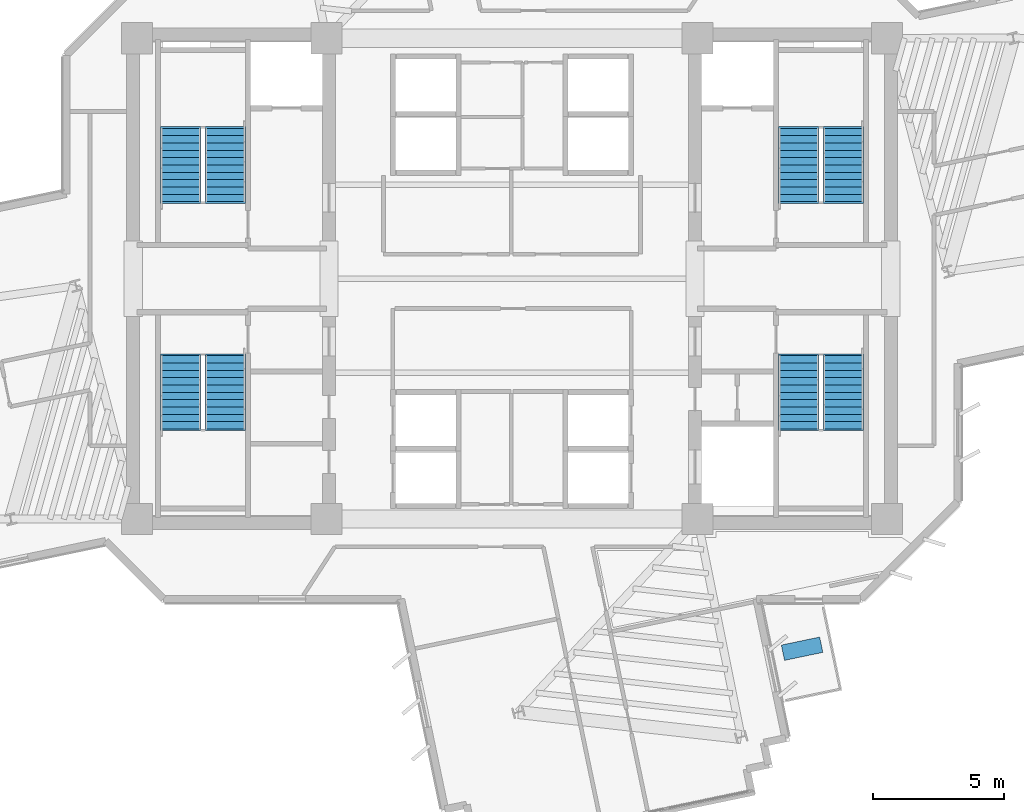
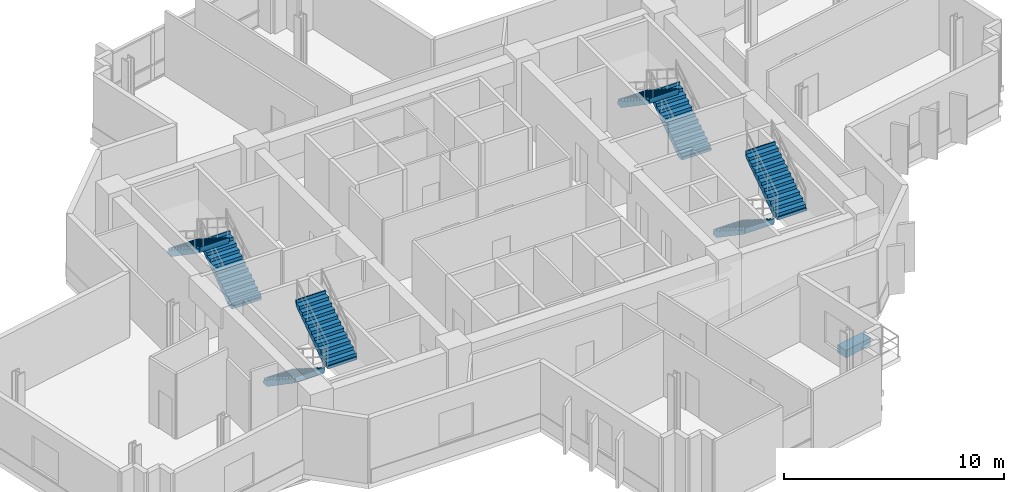
# One storey, part 11 of 14: 8 stair flights, 1 discrete accessory, 4 elements without a shape of their own.
"""IFC4 building model written with IfcOpenShell, lengths in metres."""

import ifcopenshell
import ifcopenshell.guid

model = None  # the IFC model being written
_history = None  # IfcOwnerHistory: only IFC2X3 demands one
_inside = {}  # id of a spatial element -> (the spatial element, [elements in it])
_under = {}  # id of a project, library or spatial element -> (it, [spatial elements below it])
_declared = {}  # id of a project -> (the project, [libraries it declares])
_typed = {}  # id of a type object -> (the type object, [elements of that type])
_made_of = {}  # id of a material, layer set ... -> (it, [elements and type objects made of it])


def new_model(schema):
    """Start an empty IFC model of exactly this schema.

    Asked for "IFC4X3", IfcOpenShell would pick the latest addendum, in which some entities
    have other attributes; the version numbers below select the first issue.
    IFC2X3 requires an IfcOwnerHistory on every rooted entity: one is made here for all.
    """
    global model, _history
    if schema == "IFC4X3":
        model = ifcopenshell.file(schema_version=(4, 3, 0, 0))
    else:
        model = ifcopenshell.file(schema=schema)
    _inside.clear()
    _under.clear()
    _declared.clear()
    _typed.clear()
    _made_of.clear()
    _history = None
    if model.schema == "IFC2X3":
        org = make("IfcOrganization", Name="unknown")
        user = make(
            "IfcPersonAndOrganization",
            ThePerson=make("IfcPerson", FamilyName="unknown"),
            TheOrganization=org,
        )
        app = make(
            "IfcApplication",
            ApplicationDeveloper=org,
            Version="unknown",
            ApplicationFullName="unknown",
            ApplicationIdentifier="unknown",
        )
        _history = make(
            "IfcOwnerHistory",
            OwningUser=user,
            OwningApplication=app,
            ChangeAction="ADDED",
            CreationDate=0,
        )
    return model


def make(cls, **values):
    """One entity of the class cls with the attributes given. An attribute that is None is left unset."""
    return model.create_entity(
        cls, **{name: value for name, value in values.items() if value is not None}
    )


def rooted(cls, **values):
    """An entity with a GlobalId (a new one), such as an element, a storey or a relation."""
    return make(cls, GlobalId=ifcopenshell.guid.new(), OwnerHistory=_history, **values)


def si_unit(unit_type, name, prefix=None):
    """IfcSIUnit, for example si_unit("LENGTHUNIT", "METRE", prefix="MILLI")."""
    return make("IfcSIUnit", UnitType=unit_type, Prefix=prefix, Name=name)


def assignment(units):
    """IfcUnitAssignment: the units of a project."""
    return None if units is None else make("IfcUnitAssignment", Units=units)


def point(xyz):
    """IfcCartesianPoint."""
    return None if xyz is None else make("IfcCartesianPoint", Coordinates=xyz)


def direction(xyz):
    """IfcDirection."""
    return None if xyz is None else make("IfcDirection", DirectionRatios=xyz)


def frame(location, z_axis=None, x_axis=None):
    """IfcAxis2Placement3D, a coordinate frame: its origin and axes. An axis left out is left unset."""
    return make(
        "IfcAxis2Placement3D",
        Location=point(location),
        Axis=direction(z_axis),
        RefDirection=direction(x_axis),
    )


def frame_2d(location, x_axis=None):
    """IfcAxis2Placement2D, a coordinate frame in the plane: its origin and x axis."""
    return make(
        "IfcAxis2Placement2D", Location=point(location), RefDirection=direction(x_axis)
    )


def origin():
    """The frame at (0, 0, 0) with its axes left unset."""
    return frame((0.0, 0.0, 0.0))


def origin_2d():
    """The frame at (0, 0) in the plane with its x axis left unset."""
    return frame_2d((0.0, 0.0))


def place(relative_to, where):
    """IfcLocalPlacement: puts the frame where relative to a parent placement (None: the world)."""
    return make(
        "IfcLocalPlacement", PlacementRelTo=relative_to, RelativePlacement=where
    )


def context(
    kind, dimensions, precision=None, world=None, true_north=None, identifier=None
):
    """IfcGeometricRepresentationContext, for example the 3D "Model" context."""
    return make(
        "IfcGeometricRepresentationContext",
        ContextIdentifier=identifier,
        ContextType=kind,
        CoordinateSpaceDimension=dimensions,
        Precision=precision,
        WorldCoordinateSystem=world,
        TrueNorth=true_north,
    )


def subcontext(parent, identifier, kind, view, scale=None):
    """IfcGeometricRepresentationSubContext, for example "Body" below "Model"."""
    return make(
        "IfcGeometricRepresentationSubContext",
        ContextIdentifier=identifier,
        ContextType=kind,
        ParentContext=parent,
        TargetScale=scale,
        TargetView=view,
    )


def project(units=None, contexts=None):
    """IfcProject with its units and contexts."""
    return rooted(
        "IfcProject",
        Name="project",
        RepresentationContexts=contexts,
        UnitsInContext=assignment(units),
    )


def spatial(cls, under=None, at=None, **own):
    """A site, building, storey or space (cls), placed at a placement, below another one or the project."""
    s = rooted(cls, ObjectPlacement=at, **own)
    if under is not None:
        _under.setdefault(under.id(), (under, []))[1].append(s)
    return s


def polyline(points):
    """IfcPolyline through the points."""
    return make("IfcPolyline", Points=[point(p) for p in points])


def profile(cls, at=None, kind="AREA", **sizes):
    """A parametric profile (cls). Its sizes go by their IFC names, for example OverallWidth=200.0."""
    return make(cls, ProfileType=kind, Position=at, **sizes)


def rectangle(**sizes):
    """IfcRectangleProfileDef."""
    return profile("IfcRectangleProfileDef", **sizes)


def outline(outer, holes=None, kind="AREA"):
    """IfcArbitraryClosedProfileDef: a profile drawn as a closed curve; with holes, ...WithVoids."""
    if holes is None:
        return make("IfcArbitraryClosedProfileDef", ProfileType=kind, OuterCurve=outer)
    return make(
        "IfcArbitraryProfileDefWithVoids",
        ProfileType=kind,
        OuterCurve=outer,
        InnerCurves=holes,
    )


def extrude(swept, where, along, depth):
    """IfcExtrudedAreaSolid: the profile swept, set in the frame where, extruded along a direction by depth."""
    return make(
        "IfcExtrudedAreaSolid",
        SweptArea=swept,
        Position=where,
        ExtrudedDirection=direction(along),
        Depth=depth,
    )


def shape(context_of_items, identifier, shape_type, items):
    """IfcShapeRepresentation: the items that make up one representation, for example the "Body"."""
    return make(
        "IfcShapeRepresentation",
        ContextOfItems=context_of_items,
        RepresentationIdentifier=identifier,
        RepresentationType=shape_type,
        Items=items,
    )


def source(mapping_origin, context_of_items, identifier, shape_type, items):
    """IfcRepresentationMap: a shape defined once, which mapped items show again and again."""
    return make(
        "IfcRepresentationMap",
        MappingOrigin=mapping_origin,
        MappedRepresentation=shape(context_of_items, identifier, shape_type, items),
    )


def transform(
    local_origin,
    x_axis=None,
    y_axis=None,
    z_axis=None,
    scale=None,
    scale2=None,
    scale3=None,
    uniform=True,
):
    """IfcCartesianTransformationOperator3D, or its non-uniform kind. x_axis, y_axis, z_axis: its Axis1, 2, 3."""
    if uniform:
        return make(
            "IfcCartesianTransformationOperator3D",
            Axis1=direction(x_axis),
            Axis2=direction(y_axis),
            LocalOrigin=point(local_origin),
            Scale=scale,
            Axis3=direction(z_axis),
        )
    return make(
        "IfcCartesianTransformationOperator3DnonUniform",
        Axis1=direction(x_axis),
        Axis2=direction(y_axis),
        LocalOrigin=point(local_origin),
        Scale=scale,
        Axis3=direction(z_axis),
        Scale2=scale2,
        Scale3=scale3,
    )


def mapped(mapping_source, mapping_target):
    """IfcMappedItem: shows the shape of a source again, moved by a transform."""
    return make(
        "IfcMappedItem", MappingSource=mapping_source, MappingTarget=mapping_target
    )


def material(Name=None, Category=None):
    """IfcMaterial."""
    return make("IfcMaterial", Name=Name, Category=Category)


def made_of(thing, what):
    """Note that an element or type object is made of a material, layer set ...; save() writes the relation."""
    if what is not None:
        _made_of.setdefault(what.id(), (what, []))[1].append(thing)
    return thing


def type_object(cls, material=None, **own):
    """A type object (cls), such as IfcWallType, which elements share."""
    return made_of(rooted(cls, **own), material)


def element(
    cls,
    number,
    at=None,
    inside=None,
    cuts=None,
    type_object=None,
    material=None,
    context=None,
    identifier="Body",
    shape_type=None,
    held_by="IfcProductDefinitionShape",
    body=None,
    shapes=None,
    **own,
):
    """One element of the class cls, such as IfcWall. Its Tag is "e" and its number.

    at: its placement. inside: the storey or other place that contains it. cuts: it is an
    opening in that element (IfcRelVoidsElement). A single representation is given by context,
    identifier, shape_type and body (its items); several are given by shapes. held_by: the class
    of the entity that holds the representations. save() writes the other relations.
    """
    e = rooted(cls, Tag="e%d" % number, ObjectPlacement=at, **own)
    if body is not None:
        shapes = [shape(context, identifier, shape_type, body)]
    if shapes is not None:
        e.Representation = make(held_by, Representations=shapes)
    if inside is not None:
        _inside.setdefault(inside.id(), (inside, []))[1].append(e)
    if cuts is not None:
        rooted(
            "IfcRelVoidsElement", RelatingBuildingElement=cuts, RelatedOpeningElement=e
        )
    if type_object is not None:
        _typed.setdefault(type_object.id(), (type_object, []))[1].append(e)
    return made_of(e, material)


def aggregate(whole, parts):
    """IfcRelAggregates: a whole, such as a stair, and the parts it consists of."""
    return rooted("IfcRelAggregates", RelatingObject=whole, RelatedObjects=parts)


def save(model, path):
    """Write the relations noted so far, then the file.

    IfcRelAggregates (storeys below a building ...), IfcRelContainedInSpatialStructure (elements
    in a storey), IfcRelDefinesByType, IfcRelAssociatesMaterial and IfcRelDeclares: one each for
    every whole, place, type object, material and project.
    """
    for whole, parts in _under.values():
        aggregate(whole, parts)
    for where, things in _inside.values():
        rooted(
            "IfcRelContainedInSpatialStructure",
            RelatedElements=things,
            RelatingStructure=where,
        )
    for kind, things in _typed.values():
        rooted("IfcRelDefinesByType", RelatedObjects=things, RelatingType=kind)
    for what, things in _made_of.values():
        rooted("IfcRelAssociatesMaterial", RelatedObjects=things, RelatingMaterial=what)
    for by, libraries in _declared.values():
        rooted("IfcRelDeclares", RelatingContext=by, RelatedDefinitions=libraries)
    model.write(path)


model = new_model("IFC4")

# Units and contexts
model_context = context("Model", 3, precision=1e-05, world=origin(), true_north=direction((0.0, 1.0)))
body_context = subcontext(model_context, "Body", "Model", "MODEL_VIEW")
ifc_project = project(units=[si_unit("LENGTHUNIT", "METRE"), si_unit("AREAUNIT", "SQUARE_METRE"), si_unit("VOLUMEUNIT", "CUBIC_METRE"), si_unit("PLANEANGLEUNIT", "RADIAN"), si_unit("MASSUNIT", "GRAM", prefix="KILO")], contexts=[model_context])

# Site, building, storey
site_placement = place(None, origin())
site = spatial("IfcSite", under=ifc_project, at=site_placement, CompositionType="ELEMENT")
building_placement = place(site_placement, origin())
building = spatial("IfcBuilding", under=site, at=building_placement, Name="Zahravan Cultural Tower", CompositionType="ELEMENT")
storey_placement = place(building_placement, frame((0.0, 0.0, 162.89990234375)))
storey = spatial("IfcBuildingStorey", under=building, at=storey_placement, Name="L37", CompositionType="ELEMENT", Elevation=162.89990234375)

# Stair, stair flights
ifc_material_1 = material(Name="Concrete C45/55", Category="concrete")
stair_type = type_object("IfcStairType", Name="STR-DL-1550-390", PredefinedType="HALF_TURN_STAIR", material=ifc_material_1)
stair_1_placement = place(storey_placement, origin())
stair_1 = element("IfcStair", 1, at=stair_1_placement, inside=storey, type_object=stair_type, Name="L37 West Core North Exit Stair ST-W1", PredefinedType="HALF_TURN_STAIR")
stair_flight_type = type_object("IfcStairFlightType", Name="FLG-DL-1550-390", PredefinedType="STRAIGHT", material=ifc_material_1)
stair_flight_1_placement = place(storey_placement, frame((25.02490234375, 29.949951171875, 0.0), z_axis=(0.0, 0.0, 1.0), x_axis=(0.0, 1.0, 0.0)))
stair_flight_1 = element("IfcStairFlight", 2, at=stair_flight_1_placement, type_object=stair_flight_type, Name="ST-W1 flight 1", NumberOfRisers=11, NumberOfTreads=10, PredefinedType="STRAIGHT", RiserHeight=0.177272727, TreadLength=0.28, context=body_context, shape_type="SweptSolid", body=[
    extrude(outline(polyline([(-0.06494140625, -0.139892578125), (-0.06494140625, 0.0), (0.0, 0.0), (0.0, 0.17724609375), (0.280029296875, 0.17724609375), (0.280029296875, 0.3544921875), (0.56005859375, 0.3544921875), (0.56005859375, 0.53173828125), (0.840087890625, 0.53173828125), (0.840087890625, 0.708984375), (1.1201171875, 0.708984375), (1.1201171875, 0.886474609375), (1.39990234375, 0.886474609375), (1.39990234375, 1.063720703125), (1.679931640625, 1.063720703125), (1.679931640625, 1.240966796875), (1.9599609375, 1.240966796875), (1.9599609375, 1.418212890625), (2.239990234375, 1.418212890625), (2.239990234375, 1.595458984375), (2.52001953125, 1.595458984375), (2.52001953125, 1.772705078125), (2.800048828125, 1.772705078125), (2.800048828125, 1.949951171875), (2.864990234375, 1.949951171875), (2.864990234375, 1.800048828125), (2.800048828125, 1.59521484375), (0.2802734375, -0.139892578125), (-0.06494140625, -0.139892578125)])), frame((0.0, 0.77490234375, 0.0), z_axis=(0.0, -1.0, 0.0), x_axis=(1.0, 0.0, 0.0)), (0.0, 0.0, 1.0), 1.550048828125),
])
stair_flight_2_placement = place(storey_placement, frame((23.324951171875, 32.75, 1.9501953125), z_axis=(0.0, 0.0, 1.0), x_axis=(0.0, -1.0, 0.0)))
stair_flight_2 = element("IfcStairFlight", 3, at=stair_flight_2_placement, type_object=stair_flight_type, Name="ST-W1 flight 2", NumberOfRisers=11, NumberOfTreads=10, PredefinedType="STRAIGHT", RiserHeight=0.177272727, TreadLength=0.28, context=body_context, shape_type="SweptSolid", body=[
    extrude(outline(polyline([(-0.06494140625, -0.139892578125), (-0.06494140625, 0.0), (0.0, 0.0), (0.0, 0.17724609375), (0.280029296875, 0.17724609375), (0.280029296875, 0.3544921875), (0.56005859375, 0.3544921875), (0.56005859375, 0.53173828125), (0.840087890625, 0.53173828125), (0.840087890625, 0.708984375), (1.1201171875, 0.708984375), (1.1201171875, 0.886474609375), (1.39990234375, 0.886474609375), (1.39990234375, 1.063720703125), (1.679931640625, 1.063720703125), (1.679931640625, 1.240966796875), (1.9599609375, 1.240966796875), (1.9599609375, 1.418212890625), (2.239990234375, 1.418212890625), (2.239990234375, 1.595458984375), (2.52001953125, 1.595458984375), (2.52001953125, 1.772705078125), (2.800048828125, 1.772705078125), (2.800048828125, 1.949951171875), (2.864990234375, 1.949951171875), (2.864990234375, 1.800048828125), (2.800048828125, 1.59521484375), (0.2802734375, -0.139892578125), (-0.06494140625, -0.139892578125)])), frame((0.0, 0.77490234375, 0.0), z_axis=(0.0, -1.0, 0.0), x_axis=(1.0, 0.0, 0.0)), (0.0, 0.0, 1.0), 1.550048828125),
])
aggregate(stair_1, [stair_flight_1, stair_flight_2])

stair_2_placement = place(storey_placement, origin())
stair_2 = element("IfcStair", 4, at=stair_2_placement, inside=storey, type_object=stair_type, Name="L37 West Core South Exit Stair ST-W2", PredefinedType="HALF_TURN_STAIR")
stair_flight_3_placement = place(storey_placement, frame((23.324951171875, 24.050048828125, 0.0), z_axis=(0.0, 0.0, 1.0), x_axis=(0.0, -1.0, 0.0)))
stair_flight_3 = element("IfcStairFlight", 5, at=stair_flight_3_placement, type_object=stair_flight_type, Name="ST-W2 flight 1", NumberOfRisers=11, NumberOfTreads=10, PredefinedType="STRAIGHT", RiserHeight=0.177272727, TreadLength=0.28, context=body_context, shape_type="SweptSolid", body=[
    extrude(outline(polyline([(-0.06494140625, -0.139892578125), (-0.06494140625, 0.0), (0.0, 0.0), (0.0, 0.17724609375), (0.280029296875, 0.17724609375), (0.280029296875, 0.3544921875), (0.56005859375, 0.3544921875), (0.56005859375, 0.53173828125), (0.840087890625, 0.53173828125), (0.840087890625, 0.708984375), (1.1201171875, 0.708984375), (1.1201171875, 0.886474609375), (1.39990234375, 0.886474609375), (1.39990234375, 1.063720703125), (1.679931640625, 1.063720703125), (1.679931640625, 1.240966796875), (1.9599609375, 1.240966796875), (1.9599609375, 1.418212890625), (2.239990234375, 1.418212890625), (2.239990234375, 1.595458984375), (2.52001953125, 1.595458984375), (2.52001953125, 1.772705078125), (2.800048828125, 1.772705078125), (2.800048828125, 1.949951171875), (2.864990234375, 1.949951171875), (2.864990234375, 1.800048828125), (2.800048828125, 1.59521484375), (0.2802734375, -0.139892578125), (-0.06494140625, -0.139892578125)])), frame((0.0, 0.77490234375, 0.0), z_axis=(0.0, -1.0, 0.0), x_axis=(1.0, 0.0, 0.0)), (0.0, 0.0, 1.0), 1.550048828125),
])
stair_flight_4_placement = place(storey_placement, frame((25.02490234375, 21.25, 1.9501953125), z_axis=(0.0, 0.0, 1.0), x_axis=(0.0, 1.0, 0.0)))
stair_flight_4 = element("IfcStairFlight", 6, at=stair_flight_4_placement, type_object=stair_flight_type, Name="ST-W2 flight 2", NumberOfRisers=11, NumberOfTreads=10, PredefinedType="STRAIGHT", RiserHeight=0.177272727, TreadLength=0.28, context=body_context, shape_type="SweptSolid", body=[
    extrude(outline(polyline([(-0.06494140625, -0.139892578125), (-0.06494140625, 0.0), (0.0, 0.0), (0.0, 0.17724609375), (0.280029296875, 0.17724609375), (0.280029296875, 0.3544921875), (0.56005859375, 0.3544921875), (0.56005859375, 0.53173828125), (0.840087890625, 0.53173828125), (0.840087890625, 0.708984375), (1.1201171875, 0.708984375), (1.1201171875, 0.886474609375), (1.39990234375, 0.886474609375), (1.39990234375, 1.063720703125), (1.679931640625, 1.063720703125), (1.679931640625, 1.240966796875), (1.9599609375, 1.240966796875), (1.9599609375, 1.418212890625), (2.239990234375, 1.418212890625), (2.239990234375, 1.595458984375), (2.52001953125, 1.595458984375), (2.52001953125, 1.772705078125), (2.800048828125, 1.772705078125), (2.800048828125, 1.949951171875), (2.864990234375, 1.949951171875), (2.864990234375, 1.800048828125), (2.800048828125, 1.59521484375), (0.2802734375, -0.139892578125), (-0.06494140625, -0.139892578125)])), frame((0.0, 0.77490234375, 0.0), z_axis=(0.0, -1.0, 0.0), x_axis=(1.0, 0.0, 0.0)), (0.0, 0.0, 1.0), 1.550048828125),
])
aggregate(stair_2, [stair_flight_3, stair_flight_4])

stair_3_placement = place(storey_placement, origin())
stair_3 = element("IfcStair", 7, at=stair_3_placement, inside=storey, type_object=stair_type, Name="L37 East Core North Exit Stair ST-E1", PredefinedType="HALF_TURN_STAIR")
stair_flight_5_placement = place(storey_placement, frame((48.675048828125, 29.949951171875, 0.0), z_axis=(0.0, 0.0, 1.0), x_axis=(0.0, 1.0, 0.0)))
stair_flight_5 = element("IfcStairFlight", 8, at=stair_flight_5_placement, type_object=stair_flight_type, Name="ST-E1 flight 1", NumberOfRisers=11, NumberOfTreads=10, PredefinedType="STRAIGHT", RiserHeight=0.177272727, TreadLength=0.28, context=body_context, shape_type="SweptSolid", body=[
    extrude(outline(polyline([(-0.06494140625, -0.139892578125), (-0.06494140625, 0.0), (0.0, 0.0), (0.0, 0.17724609375), (0.280029296875, 0.17724609375), (0.280029296875, 0.3544921875), (0.56005859375, 0.3544921875), (0.56005859375, 0.53173828125), (0.840087890625, 0.53173828125), (0.840087890625, 0.708984375), (1.1201171875, 0.708984375), (1.1201171875, 0.886474609375), (1.39990234375, 0.886474609375), (1.39990234375, 1.063720703125), (1.679931640625, 1.063720703125), (1.679931640625, 1.240966796875), (1.9599609375, 1.240966796875), (1.9599609375, 1.418212890625), (2.239990234375, 1.418212890625), (2.239990234375, 1.595458984375), (2.52001953125, 1.595458984375), (2.52001953125, 1.772705078125), (2.800048828125, 1.772705078125), (2.800048828125, 1.949951171875), (2.864990234375, 1.949951171875), (2.864990234375, 1.800048828125), (2.800048828125, 1.59521484375), (0.2802734375, -0.139892578125), (-0.06494140625, -0.139892578125)])), frame((0.0, 0.77490234375, 0.0), z_axis=(0.0, -1.0, 0.0), x_axis=(1.0, 0.0, 0.0)), (0.0, 0.0, 1.0), 1.550048828125),
])
stair_flight_6_placement = place(storey_placement, frame((46.97509765625, 32.75, 1.9501953125), z_axis=(0.0, 0.0, 1.0), x_axis=(0.0, -1.0, 0.0)))
stair_flight_6 = element("IfcStairFlight", 9, at=stair_flight_6_placement, type_object=stair_flight_type, Name="ST-E1 flight 2", NumberOfRisers=11, NumberOfTreads=10, PredefinedType="STRAIGHT", RiserHeight=0.177272727, TreadLength=0.28, context=body_context, shape_type="SweptSolid", body=[
    extrude(outline(polyline([(-0.06494140625, -0.139892578125), (-0.06494140625, 0.0), (0.0, 0.0), (0.0, 0.17724609375), (0.280029296875, 0.17724609375), (0.280029296875, 0.3544921875), (0.56005859375, 0.3544921875), (0.56005859375, 0.53173828125), (0.840087890625, 0.53173828125), (0.840087890625, 0.708984375), (1.1201171875, 0.708984375), (1.1201171875, 0.886474609375), (1.39990234375, 0.886474609375), (1.39990234375, 1.063720703125), (1.679931640625, 1.063720703125), (1.679931640625, 1.240966796875), (1.9599609375, 1.240966796875), (1.9599609375, 1.418212890625), (2.239990234375, 1.418212890625), (2.239990234375, 1.595458984375), (2.52001953125, 1.595458984375), (2.52001953125, 1.772705078125), (2.800048828125, 1.772705078125), (2.800048828125, 1.949951171875), (2.864990234375, 1.949951171875), (2.864990234375, 1.800048828125), (2.800048828125, 1.59521484375), (0.2802734375, -0.139892578125), (-0.06494140625, -0.139892578125)])), frame((0.0, 0.77490234375, 0.0), z_axis=(0.0, -1.0, 0.0), x_axis=(1.0, 0.0, 0.0)), (0.0, 0.0, 1.0), 1.550048828125),
])
aggregate(stair_3, [stair_flight_5, stair_flight_6])

stair_4_placement = place(storey_placement, origin())
stair_4 = element("IfcStair", 10, at=stair_4_placement, inside=storey, type_object=stair_type, Name="L37 East Core South Exit Stair ST-E2", PredefinedType="HALF_TURN_STAIR")
stair_flight_7_placement = place(storey_placement, frame((46.97509765625, 24.050048828125, 0.0), z_axis=(0.0, 0.0, 1.0), x_axis=(0.0, -1.0, 0.0)))
stair_flight_7 = element("IfcStairFlight", 11, at=stair_flight_7_placement, type_object=stair_flight_type, Name="ST-E2 flight 1", NumberOfRisers=11, NumberOfTreads=10, PredefinedType="STRAIGHT", RiserHeight=0.177272727, TreadLength=0.28, context=body_context, shape_type="SweptSolid", body=[
    extrude(outline(polyline([(-0.06494140625, -0.139892578125), (-0.06494140625, 0.0), (0.0, 0.0), (0.0, 0.17724609375), (0.280029296875, 0.17724609375), (0.280029296875, 0.3544921875), (0.56005859375, 0.3544921875), (0.56005859375, 0.53173828125), (0.840087890625, 0.53173828125), (0.840087890625, 0.708984375), (1.1201171875, 0.708984375), (1.1201171875, 0.886474609375), (1.39990234375, 0.886474609375), (1.39990234375, 1.063720703125), (1.679931640625, 1.063720703125), (1.679931640625, 1.240966796875), (1.9599609375, 1.240966796875), (1.9599609375, 1.418212890625), (2.239990234375, 1.418212890625), (2.239990234375, 1.595458984375), (2.52001953125, 1.595458984375), (2.52001953125, 1.772705078125), (2.800048828125, 1.772705078125), (2.800048828125, 1.949951171875), (2.864990234375, 1.949951171875), (2.864990234375, 1.800048828125), (2.800048828125, 1.59521484375), (0.2802734375, -0.139892578125), (-0.06494140625, -0.139892578125)])), frame((0.0, 0.77490234375, 0.0), z_axis=(0.0, -1.0, 0.0), x_axis=(1.0, 0.0, 0.0)), (0.0, 0.0, 1.0), 1.550048828125),
])
stair_flight_8_placement = place(storey_placement, frame((48.675048828125, 21.25, 1.9501953125), z_axis=(0.0, 0.0, 1.0), x_axis=(0.0, 1.0, 0.0)))
stair_flight_8 = element("IfcStairFlight", 12, at=stair_flight_8_placement, type_object=stair_flight_type, Name="ST-E2 flight 2", NumberOfRisers=11, NumberOfTreads=10, PredefinedType="STRAIGHT", RiserHeight=0.177272727, TreadLength=0.28, context=body_context, shape_type="SweptSolid", body=[
    extrude(outline(polyline([(-0.06494140625, -0.139892578125), (-0.06494140625, 0.0), (0.0, 0.0), (0.0, 0.17724609375), (0.280029296875, 0.17724609375), (0.280029296875, 0.3544921875), (0.56005859375, 0.3544921875), (0.56005859375, 0.53173828125), (0.840087890625, 0.53173828125), (0.840087890625, 0.708984375), (1.1201171875, 0.708984375), (1.1201171875, 0.886474609375), (1.39990234375, 0.886474609375), (1.39990234375, 1.063720703125), (1.679931640625, 1.063720703125), (1.679931640625, 1.240966796875), (1.9599609375, 1.240966796875), (1.9599609375, 1.418212890625), (2.239990234375, 1.418212890625), (2.239990234375, 1.595458984375), (2.52001953125, 1.595458984375), (2.52001953125, 1.772705078125), (2.800048828125, 1.772705078125), (2.800048828125, 1.949951171875), (2.864990234375, 1.949951171875), (2.864990234375, 1.800048828125), (2.800048828125, 1.59521484375), (0.2802734375, -0.139892578125), (-0.06494140625, -0.139892578125)])), frame((0.0, 0.77490234375, 0.0), z_axis=(0.0, -1.0, 0.0), x_axis=(1.0, 0.0, 0.0)), (0.0, 0.0, 1.0), 1.550048828125),
])
aggregate(stair_4, [stair_flight_7, stair_flight_8])

# Discrete accessory
ifc_material_2 = material(Name="Planted soil and terracotta planter", Category="masonry")
discrete_accessory_type = type_object("IfcDiscreteAccessoryType", Name="ACC-PLANTER-TC", PredefinedType="USERDEFINED", material=ifc_material_2)
shared_shape = source(origin(), body_context, "Body", "SweptSolid", [
    extrude(rectangle(XDim=1.5, YDim=0.60009765625, at=origin_2d()), origin(), (0.0, 0.0, 1.0), 0.419921875),
])
discrete_accessory_placement = place(storey_placement, frame((47.102783203125, 12.836669921875, 0.000244140625), z_axis=(0.0, 0.0, 1.0), x_axis=(0.978938711712, 0.204154350213, 0.0)))
element("IfcDiscreteAccessory", 13, at=discrete_accessory_placement, inside=storey, type_object=discrete_accessory_type, Name="L37 Terracotta Sculpture Planter SE", ObjectType="PLANTER", PredefinedType="USERDEFINED", context=body_context, shape_type="MappedRepresentation", body=[
    mapped(shared_shape, transform((0.0, 0.0, 0.0), x_axis=(1.0, 0.0, 0.0), y_axis=(0.0, 1.0, 0.0), z_axis=(0.0, 0.0, 1.0), scale=1.0)),
])

save(model, "model.ifc")
